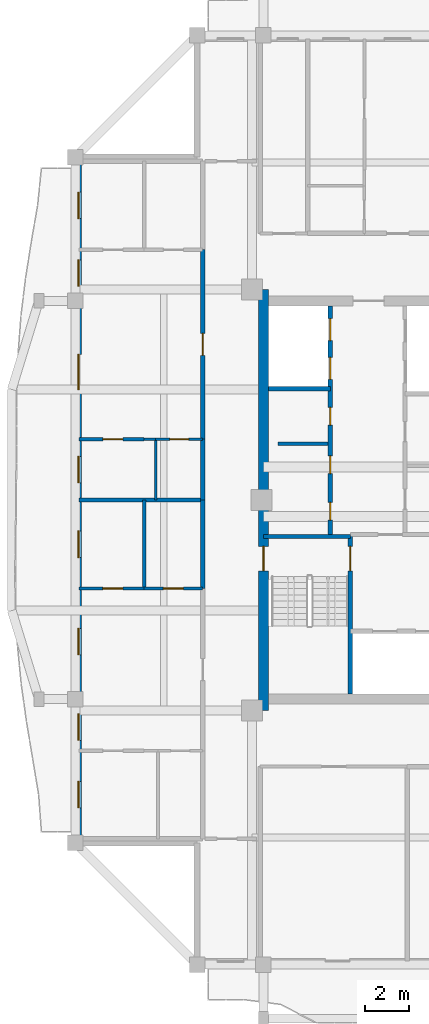
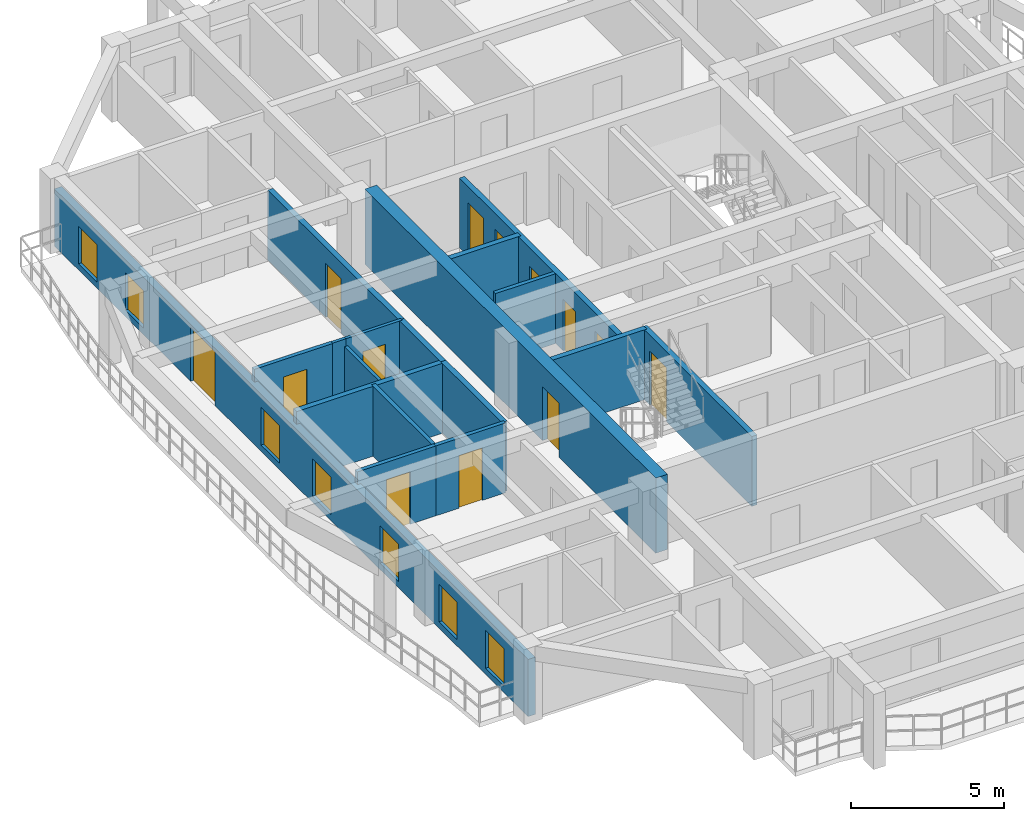
# One storey, part 3 of 12: 18 walls, 13 doors, 7 windows, 20 openings.
"""IFC4 building model written with IfcOpenShell, lengths in metres."""

from ifc_helpers import new_model, si_unit, direction, frame, frame_2d, origin, place, context, subcontext, project, spatial, rectangle, extrude, source, transform, mapped, material, layer, layer_set, type_object, element, fill, save


model = new_model("IFC4")

# Units and contexts
model_context = context("Model", 3, precision=1e-05, world=origin(), true_north=direction((0.0, 1.0)))
body_context = subcontext(model_context, "Body", "Model", "MODEL_VIEW")
ifc_project = project(units=[si_unit("LENGTHUNIT", "METRE"), si_unit("AREAUNIT", "SQUARE_METRE"), si_unit("VOLUMEUNIT", "CUBIC_METRE"), si_unit("PLANEANGLEUNIT", "RADIAN"), si_unit("MASSUNIT", "GRAM", prefix="KILO")], contexts=[model_context])

# Site, building, storey
site_placement = place(None, origin())
site = spatial("IfcSite", under=ifc_project, at=site_placement, CompositionType="ELEMENT")
building_placement = place(site_placement, origin())
building = spatial("IfcBuilding", under=site, at=building_placement, Name="Saelheon Loggia Tower", CompositionType="ELEMENT")
storey_placement = place(building_placement, frame((0.0, 0.0, 240.0)))
storey = spatial("IfcBuildingStorey", under=building, at=storey_placement, Name="L74", CompositionType="ELEMENT", Elevation=240.0)

# Wall, opening, door
ifc_material_1 = material(Name="Concrete C45/55", Category="concrete")
ifc_layer_1 = layer(ifc_material_1, 0.449951171875)
ifc_layer_set_1 = layer_set([ifc_layer_1], Name="Concrete C45/55")
wall_type_1 = type_object("IfcWallType", Name="Wall_CoreShear_450", PredefinedType="SHEAR", material=ifc_layer_set_1)
wall_1_placement = place(storey_placement, frame((31.5, 17.47998046875, 0.0), z_axis=(0.0, 0.0, 1.0), x_axis=(0.0, 1.0, 0.0)))
wall_1 = element("IfcWall", 1, at=wall_1_placement, inside=storey, type_object=wall_type_1, Name="L74 Core Shear Wall West", PredefinedType="SHEAR", context=body_context, shape_type="SweptSolid", body=[
    extrude(rectangle(XDim=19.0400390625, YDim=0.449951171875, at=frame_2d((9.52001953125, 0.0))), origin(), (0.0, 0.0, 1.0), 3.0),
])
opening_1_placement = place(wall_1_placement, frame((6.320068359375, 0.0, 0.0)))
opening_1 = element("IfcOpeningElement", 2, at=opening_1_placement, cuts=wall_1, Name="Opening D-FD2", PredefinedType="OPENING", context=body_context, shape_type="SweptSolid", body=[
    extrude(rectangle(XDim=1.10009765625, YDim=2.14990234375, at=frame_2d((0.550048828125, 1.074951171875))), frame((0.0, 0.237060546875, 0.0), z_axis=(0.0, -1.0, 0.0), x_axis=(1.0, 0.0, 0.0)), (0.0, 0.0, 1.0), 0.473876953125),
])
ifc_material_2 = material(Name="Galvanised Steel Fire Door", Category="steel")
door_type_1 = type_object("IfcDoorType", Name="Door_Fire_FD60_1100", OperationType="NOTDEFINED", PredefinedType="DOOR", material=ifc_material_2)
shared_shape_1 = source(origin(), body_context, "Body", "SweptSolid", [
    extrude(rectangle(XDim=1.10009765625, YDim=2.14990234375, at=frame_2d((0.550048828125, 1.074951171875))), frame((0.0, 0.02490234375, 0.0), z_axis=(0.0, -1.0, 0.0), x_axis=(1.0, 0.0, 0.0)), (0.0, 0.0, 1.0), 0.050048828125),
])
door_1_placement = place(opening_1_placement, origin())
door_1 = element("IfcDoor", 3, at=door_1_placement, inside=storey, type_object=door_type_1, Name="L74 Stair ST1 Corridor Door", OperationType="SINGLE_SWING_LEFT", OverallHeight=2.14990234375, OverallWidth=1.10009765625, PredefinedType="DOOR", context=body_context, shape_type="MappedRepresentation", body=[
    mapped(shared_shape_1, transform((0.0, 0.0, 0.0), scale=1.0)),
])
fill(opening_1, door_1)

# Wall, openings, windows, door
ifc_material_3 = material(Name="Architectural Precast Concrete C40/50", Category="concrete")
ifc_layer_2 = layer(ifc_material_3, 0.280029296875)
ifc_layer_set_2 = layer_set([ifc_layer_2], Name="Architectural Precast Concrete C40/50")
wall_type_2 = type_object("IfcWallType", Name="Wall_Ext_Loggia_280", PredefinedType="SOLIDWALL", material=ifc_layer_set_2)
wall_2_placement = place(storey_placement, frame((23.139892578125, 11.5, 0.0), z_axis=(0.0, 0.0, 1.0), x_axis=(0.0, 1.0, 0.0)))
wall_2 = element("IfcWall", 4, at=wall_2_placement, inside=storey, type_object=wall_type_2, Name="L74 West Loggia Inner Wall", PredefinedType="SOLIDWALL", context=body_context, shape_type="SweptSolid", body=[
    extrude(rectangle(XDim=31.0, YDim=0.280029296875, at=frame_2d((15.5, 0.0))), origin(), (0.0, 0.0, 1.0), 2.280029296875),
])
opening_2_placement = place(wall_2_placement, frame((1.57666015625, 0.0, 0.25)))
opening_2 = element("IfcOpeningElement", 5, at=opening_2_placement, cuts=wall_2, Name="Opening WN-03", PredefinedType="OPENING", context=body_context, shape_type="SweptSolid", body=[
    extrude(rectangle(XDim=1.199951171875, YDim=1.5, at=frame_2d((0.60009765625, 0.75))), frame((0.0, 0.152099609375, 0.0), z_axis=(0.0, -1.0, 0.0), x_axis=(1.0, 0.0, 0.0)), (0.0, 0.0, 1.0), 0.303955078125),
])
opening_3_placement = place(wall_2_placement, frame((4.63671875, 0.0, 0.25)))
opening_3 = element("IfcOpeningElement", 6, at=opening_3_placement, cuts=wall_2, Name="Opening WN-03", PredefinedType="OPENING", context=body_context, shape_type="SweptSolid", body=[
    extrude(rectangle(XDim=1.199951171875, YDim=1.5, at=frame_2d((0.60009765625, 0.75))), frame((0.0, 0.152099609375, 0.0), z_axis=(0.0, -1.0, 0.0), x_axis=(1.0, 0.0, 0.0)), (0.0, 0.0, 1.0), 0.303955078125),
])
opening_4_placement = place(wall_2_placement, frame((8.4951171875, 0.0, 0.25)))
opening_4 = element("IfcOpeningElement", 7, at=opening_4_placement, cuts=wall_2, Name="Opening WN-03", PredefinedType="OPENING", context=body_context, shape_type="SweptSolid", body=[
    extrude(rectangle(XDim=1.199951171875, YDim=1.5, at=frame_2d((0.60009765625, 0.75))), frame((0.0, 0.152099609375, 0.0), z_axis=(0.0, -1.0, 0.0), x_axis=(1.0, 0.0, 0.0)), (0.0, 0.0, 1.0), 0.303955078125),
])
opening_5_placement = place(wall_2_placement, frame((12.89990234375, 0.0, 0.25)))
opening_5 = element("IfcOpeningElement", 8, at=opening_5_placement, cuts=wall_2, Name="Opening WN-03", PredefinedType="OPENING", context=body_context, shape_type="SweptSolid", body=[
    extrude(rectangle(XDim=1.199951171875, YDim=1.5, at=frame_2d((0.60009765625, 0.75))), frame((0.0, 0.152099609375, 0.0), z_axis=(0.0, -1.0, 0.0), x_axis=(1.0, 0.0, 0.0)), (0.0, 0.0, 1.0), 0.303955078125),
])
opening_6_placement = place(wall_2_placement, frame((16.27490234375, 0.0, 0.25)))
opening_6 = element("IfcOpeningElement", 9, at=opening_6_placement, cuts=wall_2, Name="Opening WN-03", PredefinedType="OPENING", context=body_context, shape_type="SweptSolid", body=[
    extrude(rectangle(XDim=1.199951171875, YDim=1.5, at=frame_2d((0.60009765625, 0.75))), frame((0.0, 0.152099609375, 0.0), z_axis=(0.0, -1.0, 0.0), x_axis=(1.0, 0.0, 0.0)), (0.0, 0.0, 1.0), 0.303955078125),
])
opening_7_placement = place(wall_2_placement, frame((20.47998046875, 0.0, 0.0)))
opening_7 = element("IfcOpeningElement", 10, at=opening_7_placement, cuts=wall_2, Name="Opening DLG-1", PredefinedType="OPENING", context=body_context, shape_type="SweptSolid", body=[
    extrude(rectangle(XDim=1.60009765625, YDim=2.14990234375, at=frame_2d((0.800048828125, 1.074951171875))), frame((0.0, 0.152099609375, 0.0), z_axis=(0.0, -1.0, 0.0), x_axis=(1.0, 0.0, 0.0)), (0.0, 0.0, 1.0), 0.303955078125),
])
opening_8_placement = place(wall_2_placement, frame((25.155029296875, 0.0, 0.25)))
opening_8 = element("IfcOpeningElement", 11, at=opening_8_placement, cuts=wall_2, Name="Opening WN-03", PredefinedType="OPENING", context=body_context, shape_type="SweptSolid", body=[
    extrude(rectangle(XDim=1.199951171875, YDim=1.5, at=frame_2d((0.60009765625, 0.75))), frame((0.0, 0.152099609375, 0.0), z_axis=(0.0, -1.0, 0.0), x_axis=(1.0, 0.0, 0.0)), (0.0, 0.0, 1.0), 0.303955078125),
])
opening_9_placement = place(wall_2_placement, frame((28.215087890625, 0.0, 0.25)))
opening_9 = element("IfcOpeningElement", 12, at=opening_9_placement, cuts=wall_2, Name="Opening WN-03", PredefinedType="OPENING", context=body_context, shape_type="SweptSolid", body=[
    extrude(rectangle(XDim=1.199951171875, YDim=1.5, at=frame_2d((0.60009765625, 0.75))), frame((0.0, 0.152099609375, 0.0), z_axis=(0.0, -1.0, 0.0), x_axis=(1.0, 0.0, 0.0)), (0.0, 0.0, 1.0), 0.303955078125),
])
ifc_material_4 = material(Name="Thermal-Break Aluminium and Triple Low-E Glass", Category="aluminium")
window_type = type_object("IfcWindowType", Name="Win_Bedroom_1200x1500", PartitioningType="SINGLE_PANEL", PredefinedType="WINDOW", material=ifc_material_4)
shared_shape_2 = source(origin(), body_context, "Body", "SweptSolid", [
    extrude(rectangle(XDim=1.199951171875, YDim=1.5, at=frame_2d((0.60009765625, 0.75))), frame((0.0, 0.030029296875, 0.0), z_axis=(0.0, -1.0, 0.0), x_axis=(1.0, 0.0, 0.0)), (0.0, 0.0, 1.0), 0.06005859375),
])
window_1_placement = place(opening_2_placement, origin())
window_1 = element("IfcWindow", 13, at=window_1_placement, inside=storey, type_object=window_type, Name="L74 W Dwelling Window 1", OverallHeight=1.5, OverallWidth=1.199951171875, PartitioningType="SINGLE_PANEL", PredefinedType="WINDOW", context=body_context, shape_type="MappedRepresentation", body=[
    mapped(shared_shape_2, transform((0.0, 0.0, 0.0), scale=1.0)),
])
fill(opening_2, window_1)
window_2_placement = place(opening_3_placement, origin())
window_2 = element("IfcWindow", 14, at=window_2_placement, inside=storey, type_object=window_type, Name="L74 W Dwelling Window 2", OverallHeight=1.5, OverallWidth=1.199951171875, PartitioningType="SINGLE_PANEL", PredefinedType="WINDOW", context=body_context, shape_type="MappedRepresentation", body=[
    mapped(shared_shape_2, transform((0.0, 0.0, 0.0), scale=1.0)),
])
fill(opening_3, window_2)
window_3_placement = place(opening_4_placement, origin())
window_3 = element("IfcWindow", 15, at=window_3_placement, inside=storey, type_object=window_type, Name="L74 W Dwelling Window 3", OverallHeight=1.5, OverallWidth=1.199951171875, PartitioningType="SINGLE_PANEL", PredefinedType="WINDOW", context=body_context, shape_type="MappedRepresentation", body=[
    mapped(shared_shape_2, transform((0.0, 0.0, 0.0), scale=1.0)),
])
fill(opening_4, window_3)
window_4_placement = place(opening_5_placement, origin())
window_4 = element("IfcWindow", 16, at=window_4_placement, inside=storey, type_object=window_type, Name="L74 W Dwelling Window 4", OverallHeight=1.5, OverallWidth=1.199951171875, PartitioningType="SINGLE_PANEL", PredefinedType="WINDOW", context=body_context, shape_type="MappedRepresentation", body=[
    mapped(shared_shape_2, transform((0.0, 0.0, 0.0), scale=1.0)),
])
fill(opening_5, window_4)
window_5_placement = place(opening_6_placement, origin())
window_5 = element("IfcWindow", 17, at=window_5_placement, inside=storey, type_object=window_type, Name="L74 W Dwelling Window 5", OverallHeight=1.5, OverallWidth=1.199951171875, PartitioningType="SINGLE_PANEL", PredefinedType="WINDOW", context=body_context, shape_type="MappedRepresentation", body=[
    mapped(shared_shape_2, transform((0.0, 0.0, 0.0), scale=1.0)),
])
fill(opening_6, window_5)
window_6_placement = place(opening_8_placement, origin())
window_6 = element("IfcWindow", 18, at=window_6_placement, inside=storey, type_object=window_type, Name="L74 W Dwelling Window 7", OverallHeight=1.5, OverallWidth=1.199951171875, PartitioningType="SINGLE_PANEL", PredefinedType="WINDOW", context=body_context, shape_type="MappedRepresentation", body=[
    mapped(shared_shape_2, transform((0.0, 0.0, 0.0), scale=1.0)),
])
fill(opening_8, window_6)
window_7_placement = place(opening_9_placement, origin())
window_7 = element("IfcWindow", 19, at=window_7_placement, inside=storey, type_object=window_type, Name="L74 W Dwelling Window 8", OverallHeight=1.5, OverallWidth=1.199951171875, PartitioningType="SINGLE_PANEL", PredefinedType="WINDOW", context=body_context, shape_type="MappedRepresentation", body=[
    mapped(shared_shape_2, transform((0.0, 0.0, 0.0), scale=1.0)),
])
fill(opening_9, window_7)
ifc_material_5 = material(Name="Thermal-Break Aluminium Sliding Glazed Door", Category="aluminium")
door_type_2 = type_object("IfcDoorType", Name="Door_LoggiaSlide_1600", OperationType="SLIDING_TO_LEFT", PredefinedType="DOOR", material=ifc_material_5)
shared_shape_3 = source(origin(), body_context, "Body", "SweptSolid", [
    extrude(rectangle(XDim=1.60009765625, YDim=2.14990234375, at=frame_2d((0.800048828125, 1.074951171875))), frame((0.0, 0.02490234375, 0.0), z_axis=(0.0, -1.0, 0.0), x_axis=(1.0, 0.0, 0.0)), (0.0, 0.0, 1.0), 0.050048828125),
])
door_2_placement = place(opening_7_placement, origin())
door_2 = element("IfcDoor", 20, at=door_2_placement, inside=storey, type_object=door_type_2, Name="L74 W Loggia Access Door", OperationType="SLIDING_TO_LEFT", OverallHeight=2.14990234375, OverallWidth=1.60009765625, PredefinedType="DOOR", context=body_context, shape_type="MappedRepresentation", body=[
    mapped(shared_shape_3, transform((0.0, 0.0, 0.0), scale=1.0)),
])
fill(opening_7, door_2)

# Walls
ifc_material_6 = material(Name="Lightweight Autoclaved Aerated Concrete Block and Acoustic Gypsum", Category="concrete")
ifc_layer_3 = layer(ifc_material_6, 0.14990234375)
ifc_layer_set_3 = layer_set([ifc_layer_3], Name="Lightweight Autoclaved Aerated Concrete Block and Acoustic Gypsum")
wall_type_3 = type_object("IfcWallType", Name="Wall_Part_150", PredefinedType="PARTITIONING", material=ifc_layer_set_3)
wall_3_placement = place(storey_placement, frame((32.14990234375, 29.550048828125, 0.0), z_axis=(0.0, 0.0, 1.0), x_axis=(1.0, 0.0, 0.0)))
element("IfcWall", 21, at=wall_3_placement, inside=storey, type_object=wall_type_3, Name="L74 Freed Core Partition PL1", PredefinedType="PARTITIONING", context=body_context, shape_type="SweptSolid", body=[
    extrude(rectangle(XDim=2.27001953125, YDim=0.14990234375, at=frame_2d((1.135009765625, 0.0))), origin(), (0.0, 0.0, 1.0), 2.7900390625),
])
wall_4_placement = place(storey_placement, frame((26.110107421875, 23.0, 0.0), z_axis=(0.0, 0.0, 1.0), x_axis=(0.0, 1.0, 0.0)))
element("IfcWall", 22, at=wall_4_placement, inside=storey, type_object=wall_type_3, Name="L74 W Partition V07", PredefinedType="PARTITIONING", context=body_context, shape_type="SweptSolid", body=[
    extrude(rectangle(XDim=4.0, YDim=0.14990234375, at=frame_2d((2.0, 0.0))), origin(), (0.0, 0.0, 1.0), 2.7900390625),
])

# Wall, opening, door
wall_5_placement = place(storey_placement, frame((28.75, 23.0, 0.0), z_axis=(0.0, 0.0, 1.0), x_axis=(-1.0, 0.0, 0.0)))
wall_5 = element("IfcWall", 23, at=wall_5_placement, inside=storey, type_object=wall_type_3, Name="L74 W Partition U11", PredefinedType="PARTITIONING", context=body_context, shape_type="SweptSolid", body=[
    extrude(rectangle(XDim=2.639892578125, YDim=0.14990234375, at=frame_2d((1.31982421875, 0.0))), origin(), (0.0, 0.0, 1.0), 2.7900390625),
])
opening_10_placement = place(wall_5_placement, frame((0.8701171875, 0.0, 0.0)))
opening_10 = element("IfcOpeningElement", 24, at=opening_10_placement, cuts=wall_5, Name="Opening D-IN2", PredefinedType="OPENING", context=body_context, shape_type="SweptSolid", body=[
    extrude(rectangle(XDim=0.89990234375, YDim=2.10009765625, at=frame_2d((0.449951171875, 1.050048828125))), frame((0.0, 0.0869140625, 0.0), z_axis=(0.0, -1.0, 0.0), x_axis=(1.0, 0.0, 0.0)), (0.0, 0.0, 1.0), 0.173828125),
])
ifc_material_7 = material(Name="Engineered Oak Flush Door", Category="timber")
door_type_3 = type_object("IfcDoorType", Name="Door_Int_900", OperationType="NOTDEFINED", PredefinedType="DOOR", material=ifc_material_7)
shared_shape_4 = source(origin(), body_context, "Body", "SweptSolid", [
    extrude(rectangle(XDim=0.89990234375, YDim=2.10009765625, at=frame_2d((0.449951171875, 1.050048828125))), frame((0.0, 0.02490234375, 0.0), z_axis=(0.0, -1.0, 0.0), x_axis=(1.0, 0.0, 0.0)), (0.0, 0.0, 1.0), 0.050048828125),
])
door_3_placement = place(opening_10_placement, origin())
door_3 = element("IfcDoor", 25, at=door_3_placement, inside=storey, type_object=door_type_3, Name="Unit U03 Kitchen Door", OperationType="SINGLE_SWING_LEFT", OverallHeight=2.10009765625, OverallWidth=0.89990234375, PredefinedType="DOOR", context=body_context, shape_type="MappedRepresentation", body=[
    mapped(shared_shape_4, transform((0.0, 0.0, 0.0), scale=1.0)),
])
fill(opening_10, door_3)

wall_6_placement = place(storey_placement, frame((26.110107421875, 23.0, 0.0), z_axis=(0.0, 0.0, 1.0), x_axis=(-1.0, 0.0, 0.0)))
wall_6 = element("IfcWall", 26, at=wall_6_placement, inside=storey, type_object=wall_type_3, Name="L74 W Partition U12", PredefinedType="PARTITIONING", context=body_context, shape_type="SweptSolid", body=[
    extrude(rectangle(XDim=2.960205078125, YDim=0.14990234375, at=frame_2d((1.47998046875, 0.0))), origin(), (0.0, 0.0, 1.0), 2.7900390625),
])
opening_11_placement = place(wall_6_placement, frame((0.964111328125, 0.0, 0.0)))
opening_11 = element("IfcOpeningElement", 27, at=opening_11_placement, cuts=wall_6, Name="Opening D-IN2", PredefinedType="OPENING", context=body_context, shape_type="SweptSolid", body=[
    extrude(rectangle(XDim=0.89990234375, YDim=2.10009765625, at=frame_2d((0.449951171875, 1.050048828125))), frame((0.0, 0.0869140625, 0.0), z_axis=(0.0, -1.0, 0.0), x_axis=(1.0, 0.0, 0.0)), (0.0, 0.0, 1.0), 0.173828125),
])
door_4_placement = place(opening_11_placement, origin())
door_4 = element("IfcDoor", 28, at=door_4_placement, inside=storey, type_object=door_type_3, Name="Unit U03 Bedroom 1 Door", OperationType="SINGLE_SWING_RIGHT", OverallHeight=2.10009765625, OverallWidth=0.89990234375, PredefinedType="DOOR", context=body_context, shape_type="MappedRepresentation", body=[
    mapped(shared_shape_4, transform((0.0, 0.0, 0.0), scale=1.0)),
])
fill(opening_11, door_4)

wall_7_placement = place(storey_placement, frame((26.110107421875, 29.75, 0.0), z_axis=(0.0, 0.0, 1.0), x_axis=(-1.0, 0.0, 0.0)))
wall_7 = element("IfcWall", 29, at=wall_7_placement, inside=storey, type_object=wall_type_3, Name="L74 W Partition U21", PredefinedType="PARTITIONING", context=body_context, shape_type="SweptSolid", body=[
    extrude(rectangle(XDim=2.960205078125, YDim=0.14990234375, at=frame_2d((1.47998046875, 0.0))), origin(), (0.0, 0.0, 1.0), 2.7900390625),
])
opening_12_placement = place(wall_7_placement, frame((0.964111328125, 0.0, 0.0)))
opening_12 = element("IfcOpeningElement", 30, at=opening_12_placement, cuts=wall_7, Name="Opening D-IN2", PredefinedType="OPENING", context=body_context, shape_type="SweptSolid", body=[
    extrude(rectangle(XDim=0.89990234375, YDim=2.10009765625, at=frame_2d((0.449951171875, 1.050048828125))), frame((0.0, 0.0869140625, 0.0), z_axis=(0.0, -1.0, 0.0), x_axis=(1.0, 0.0, 0.0)), (0.0, 0.0, 1.0), 0.173828125),
])
door_5_placement = place(opening_12_placement, origin())
door_5 = element("IfcDoor", 31, at=door_5_placement, inside=storey, type_object=door_type_3, Name="Unit U04 Kitchen Door", OperationType="SINGLE_SWING_LEFT", OverallHeight=2.10009765625, OverallWidth=0.89990234375, PredefinedType="DOOR", context=body_context, shape_type="MappedRepresentation", body=[
    mapped(shared_shape_4, transform((0.0, 0.0, 0.0), scale=1.0)),
])
fill(opening_12, door_5)

# Walls
ifc_material_8 = material(Name="Double Acoustic Stud and Fireboard Partition", Category="gypsum")
ifc_layer_4 = layer(ifc_material_8, 0.199951171875)
ifc_layer_set_4 = layer_set([ifc_layer_4], Name="Double Acoustic Stud and Fireboard Partition")
wall_type_4 = type_object("IfcWallType", Name="Wall_Party_200", PredefinedType="PARTITIONING", material=ifc_layer_set_4)
wall_8_placement = place(storey_placement, frame((28.75, 23.0, 0.0), z_axis=(0.0, 0.0, 1.0), x_axis=(0.0, 1.0, 0.0)))
element("IfcWall", 32, at=wall_8_placement, inside=storey, type_object=wall_type_4, Name="L74 W Partition V05", PredefinedType="PARTITIONING", context=body_context, shape_type="SweptSolid", body=[
    extrude(rectangle(XDim=4.0, YDim=0.199951171875, at=frame_2d((2.0, 0.0))), origin(), (0.0, 0.0, 1.0), 2.7900390625),
])
wall_9_placement = place(storey_placement, frame((28.75, 27.0, 0.0), z_axis=(0.0, 0.0, 1.0), x_axis=(-1.0, 0.0, 0.0)))
element("IfcWall", 33, at=wall_9_placement, inside=storey, type_object=wall_type_4, Name="L74 W Partition U13", PredefinedType="PARTITIONING", context=body_context, shape_type="SweptSolid", body=[
    extrude(rectangle(XDim=5.60009765625, YDim=0.199951171875, at=frame_2d((2.800048828125, 0.0))), origin(), (0.0, 0.0, 1.0), 2.7900390625),
])
wall_10_placement = place(storey_placement, frame((28.75, 27.0, 0.0), z_axis=(0.0, 0.0, 1.0), x_axis=(0.0, 1.0, 0.0)))
element("IfcWall", 34, at=wall_10_placement, inside=storey, type_object=wall_type_4, Name="L74 W Partition V14", PredefinedType="PARTITIONING", context=body_context, shape_type="SweptSolid", body=[
    extrude(rectangle(XDim=2.75, YDim=0.199951171875, at=frame_2d((1.375, 0.0))), origin(), (0.0, 0.0, 1.0), 2.7900390625),
])

# Wall, opening, door
wall_11_placement = place(storey_placement, frame((28.75, 29.75, 0.0), z_axis=(0.0, 0.0, 1.0), x_axis=(0.0, 1.0, 0.0)))
wall_11 = element("IfcWall", 35, at=wall_11_placement, inside=storey, type_object=wall_type_4, Name="L74 W Partition V15", PredefinedType="PARTITIONING", context=body_context, shape_type="SweptSolid", body=[
    extrude(rectangle(XDim=8.570068359375, YDim=0.199951171875, at=frame_2d((4.28515625, 0.0))), origin(), (0.0, 0.0, 1.0), 2.7900390625),
])
opening_13_placement = place(wall_11_placement, frame((3.784912109375, 0.0, 0.0)))
opening_13 = element("IfcOpeningElement", 36, at=opening_13_placement, cuts=wall_11, Name="Opening D-FD1", PredefinedType="OPENING", context=body_context, shape_type="SweptSolid", body=[
    extrude(rectangle(XDim=1.0, YDim=2.14990234375, at=frame_2d((0.5, 1.074951171875))), frame((0.0, 0.112060546875, 0.0), z_axis=(0.0, -1.0, 0.0), x_axis=(1.0, 0.0, 0.0)), (0.0, 0.0, 1.0), 0.223876953125),
])
ifc_material_9 = material(Name="Fire-Rated Engineered Timber Entrance Door", Category="wood")
door_type_4 = type_object("IfcDoorType", Name="Door_Flat_FD30S", OperationType="NOTDEFINED", PredefinedType="DOOR", material=ifc_material_9)
shared_shape_5 = source(origin(), body_context, "Body", "SweptSolid", [
    extrude(rectangle(XDim=1.0, YDim=2.14990234375, at=frame_2d((0.5, 1.074951171875))), frame((0.0, 0.02490234375, 0.0), z_axis=(0.0, -1.0, 0.0), x_axis=(1.0, 0.0, 0.0)), (0.0, 0.0, 1.0), 0.050048828125),
])
door_6_placement = place(opening_13_placement, origin())
door_6 = element("IfcDoor", 37, at=door_6_placement, inside=storey, type_object=door_type_4, Name="Unit U04 Entrance Door", OperationType="SINGLE_SWING_LEFT", OverallHeight=2.14990234375, OverallWidth=1.0, PredefinedType="DOOR", context=body_context, shape_type="MappedRepresentation", body=[
    mapped(shared_shape_5, transform((0.0, 0.0, 0.0), scale=1.0)),
])
fill(opening_13, door_6)

# Wall, openings, doors
ifc_material_10 = material(Name="Concrete C40/50", Category="concrete")
ifc_layer_5 = layer(ifc_material_10, 0.199951171875)
ifc_layer_set_5 = layer_set([ifc_layer_5], Name="Concrete C40/50")
wall_type_5 = type_object("IfcWallType", Name="Wall_Shaft_200", PredefinedType="PARTITIONING", material=ifc_layer_set_5)
wall_12_placement = place(storey_placement, frame((34.52001953125, 25.43994140625, 0.0), z_axis=(0.0, 0.0, 1.0), x_axis=(0.0, 1.0, 0.0)))
wall_12 = element("IfcWall", 38, at=wall_12_placement, inside=storey, type_object=wall_type_5, Name="L74 West Passenger Lift Bank Wall", PredefinedType="PARTITIONING", context=body_context, shape_type="SweptSolid", body=[
    extrude(rectangle(XDim=10.340087890625, YDim=0.199951171875, at=frame_2d((5.169921875, 0.0))), origin(), (0.0, 0.0, 1.0), 2.7900390625),
])
opening_14_placement = place(wall_12_placement, frame((0.64990234375, 0.0, 0.0)))
opening_14 = element("IfcOpeningElement", 39, at=opening_14_placement, cuts=wall_12, Name="Opening D-ST1", PredefinedType="OPENING", context=body_context, shape_type="SweptSolid", body=[
    extrude(rectangle(XDim=0.800048828125, YDim=2.050048828125, at=frame_2d((0.39990234375, 1.02490234375))), frame((0.0, 0.112060546875, 0.0), z_axis=(0.0, -1.0, 0.0), x_axis=(1.0, 0.0, 0.0)), (0.0, 0.0, 1.0), 0.223876953125),
])
opening_15_placement = place(wall_12_placement, frame((2.75, 0.0, 0.0)))
opening_15 = element("IfcOpeningElement", 40, at=opening_15_placement, cuts=wall_12, Name="Opening D-ST1", PredefinedType="OPENING", context=body_context, shape_type="SweptSolid", body=[
    extrude(rectangle(XDim=0.800048828125, YDim=2.050048828125, at=frame_2d((0.39990234375, 1.02490234375))), frame((0.0, 0.112060546875, 0.0), z_axis=(0.0, -1.0, 0.0), x_axis=(1.0, 0.0, 0.0)), (0.0, 0.0, 1.0), 0.223876953125),
])
opening_16_placement = place(wall_12_placement, frame((4.949951171875, 0.0, 0.0)))
opening_16 = element("IfcOpeningElement", 41, at=opening_16_placement, cuts=wall_12, Name="Opening D-ST1", PredefinedType="OPENING", context=body_context, shape_type="SweptSolid", body=[
    extrude(rectangle(XDim=0.800048828125, YDim=2.050048828125, at=frame_2d((0.39990234375, 1.02490234375))), frame((0.0, 0.112060546875, 0.0), z_axis=(0.0, -1.0, 0.0), x_axis=(1.0, 0.0, 0.0)), (0.0, 0.0, 1.0), 0.223876953125),
])
opening_17_placement = place(wall_12_placement, frame((7.010009765625, 0.0, 0.0)))
opening_17 = element("IfcOpeningElement", 42, at=opening_17_placement, cuts=wall_12, Name="Opening LD1", PredefinedType="OPENING", context=body_context, shape_type="SweptSolid", body=[
    extrude(rectangle(XDim=1.0, YDim=2.14990234375, at=frame_2d((0.5, 1.074951171875))), frame((0.0, 0.112060546875, 0.0), z_axis=(0.0, -1.0, 0.0), x_axis=(1.0, 0.0, 0.0)), (0.0, 0.0, 1.0), 0.223876953125),
])
opening_18_placement = place(wall_12_placement, frame((8.760009765625, 0.0, 0.0)))
opening_18 = element("IfcOpeningElement", 43, at=opening_18_placement, cuts=wall_12, Name="Opening LD1", PredefinedType="OPENING", context=body_context, shape_type="SweptSolid", body=[
    extrude(rectangle(XDim=1.0, YDim=2.14990234375, at=frame_2d((0.5, 1.074951171875))), frame((0.0, 0.112060546875, 0.0), z_axis=(0.0, -1.0, 0.0), x_axis=(1.0, 0.0, 0.0)), (0.0, 0.0, 1.0), 0.223876953125),
])
ifc_material_11 = material(Name="Brushed Stainless Steel 304 Landing Door", Category="steel")
door_type_5 = type_object("IfcDoorType", Name="Door_Lift_LD1", OperationType="DOUBLE_DOOR_SLIDING", PredefinedType="DOOR", material=ifc_material_11)
door_7_placement = place(opening_17_placement, origin())
door_7 = element("IfcDoor", 44, at=door_7_placement, inside=storey, type_object=door_type_5, Name="L74 PH1 Landing Door", OperationType="DOUBLE_DOOR_SLIDING", OverallHeight=2.14990234375, OverallWidth=1.0, PredefinedType="DOOR", context=body_context, shape_type="MappedRepresentation", body=[
    mapped(shared_shape_5, transform((0.0, 0.0, 0.0), scale=1.0)),
])
fill(opening_17, door_7)
door_8_placement = place(opening_18_placement, origin())
door_8 = element("IfcDoor", 45, at=door_8_placement, inside=storey, type_object=door_type_5, Name="L74 PH2 Landing Door", OperationType="DOUBLE_DOOR_SLIDING", OverallHeight=2.14990234375, OverallWidth=1.0, PredefinedType="DOOR", context=body_context, shape_type="MappedRepresentation", body=[
    mapped(shared_shape_5, transform((0.0, 0.0, 0.0), scale=1.0)),
])
fill(opening_18, door_8)
ifc_material_12 = material(Name="Powder-Coated Steel Store Door", Category="steel")
door_type_6 = type_object("IfcDoorType", Name="Door_Store_800", OperationType="NOTDEFINED", PredefinedType="DOOR", material=ifc_material_12)
shared_shape_6 = source(origin(), body_context, "Body", "SweptSolid", [
    extrude(rectangle(XDim=0.800048828125, YDim=2.050048828125, at=frame_2d((0.39990234375, 1.02490234375))), frame((0.0, 0.02490234375, 0.0), z_axis=(0.0, -1.0, 0.0), x_axis=(1.0, 0.0, 0.0)), (0.0, 0.0, 1.0), 0.050048828125),
])
door_9_placement = place(opening_14_placement, origin())
door_9 = element("IfcDoor", 46, at=door_9_placement, inside=storey, type_object=door_type_6, Name="L74 Telecom Store Door", OperationType="SINGLE_SWING_RIGHT", OverallHeight=2.050048828125, OverallWidth=0.800048828125, PredefinedType="DOOR", context=body_context, shape_type="MappedRepresentation", body=[
    mapped(shared_shape_6, transform((0.0, 0.0, 0.0), scale=1.0)),
])
fill(opening_14, door_9)
door_10_placement = place(opening_15_placement, origin())
door_10 = element("IfcDoor", 47, at=door_10_placement, inside=storey, type_object=door_type_6, Name="L74 Linen Closet Door", OperationType="SINGLE_SWING_LEFT", OverallHeight=2.050048828125, OverallWidth=0.800048828125, PredefinedType="DOOR", context=body_context, shape_type="MappedRepresentation", body=[
    mapped(shared_shape_6, transform((0.0, 0.0, 0.0), scale=1.0)),
])
fill(opening_15, door_10)
door_11_placement = place(opening_16_placement, origin())
door_11 = element("IfcDoor", 48, at=door_11_placement, inside=storey, type_object=door_type_6, Name="L74 Metering Store Door", OperationType="SINGLE_SWING_RIGHT", OverallHeight=2.050048828125, OverallWidth=0.800048828125, PredefinedType="DOOR", context=body_context, shape_type="MappedRepresentation", body=[
    mapped(shared_shape_6, transform((0.0, 0.0, 0.0), scale=1.0)),
])
fill(opening_16, door_11)

# Wall
wall_13_placement = place(storey_placement, frame((31.719970703125, 32.02001953125, 0.0), z_axis=(0.0, 0.0, 1.0), x_axis=(1.0, 0.0, 0.0)))
element("IfcWall", 49, at=wall_13_placement, inside=storey, type_object=wall_type_5, Name="L74 West High-Rise Shaft Divider", PredefinedType="PARTITIONING", context=body_context, shape_type="SweptSolid", body=[
    extrude(rectangle(XDim=2.800048828125, YDim=0.199951171875, at=frame_2d((1.39990234375, 0.0))), origin(), (0.0, 0.0, 1.0), 2.7900390625),
])

# Wall, opening, door
ifc_layer_6 = layer(ifc_material_1, 0.199951171875)
ifc_layer_set_6 = layer_set([ifc_layer_6], Name="Concrete C45/55")
wall_type_6 = type_object("IfcWallType", Name="Wall_StairShaft_RC200", PredefinedType="SOLIDWALL", material=ifc_layer_set_6)
wall_14_placement = place(storey_placement, frame((35.429931640625, 18.219970703125, 0.0), z_axis=(0.0, 0.0, 1.0), x_axis=(0.0, 1.0, 0.0)))
wall_14 = element("IfcWall", 50, at=wall_14_placement, inside=storey, type_object=wall_type_6, Name="L74 Stair ST1 Shaft Wall", PredefinedType="SOLIDWALL", context=body_context, shape_type="SweptSolid", body=[
    extrude(rectangle(XDim=7.219970703125, YDim=0.199951171875, at=frame_2d((3.60986328125, 0.0))), origin(), (0.0, 0.0, 1.0), 2.7900390625),
])
opening_19_placement = place(wall_14_placement, frame((6.68017578125, 0.0, 0.0), z_axis=(0.0, 0.0, 1.0), x_axis=(-1.0, 0.0, 0.0)))
opening_19 = element("IfcOpeningElement", 51, at=opening_19_placement, cuts=wall_14, Name="Opening D-FD2", PredefinedType="OPENING", context=body_context, shape_type="SweptSolid", body=[
    extrude(rectangle(XDim=1.10009765625, YDim=2.14990234375, at=frame_2d((0.550048828125, 1.074951171875))), frame((0.0, 0.112060546875, 0.0), z_axis=(0.0, -1.0, 0.0), x_axis=(1.0, 0.0, 0.0)), (0.0, 0.0, 1.0), 0.223876953125),
])
door_12_placement = place(opening_19_placement, origin())
door_12 = element("IfcDoor", 52, at=door_12_placement, inside=storey, type_object=door_type_1, Name="L74 Stair ST1 Lobby Door", OperationType="SINGLE_SWING_LEFT", OverallHeight=2.14990234375, OverallWidth=1.10009765625, PredefinedType="DOOR", context=body_context, shape_type="MappedRepresentation", body=[
    mapped(shared_shape_1, transform((0.0, 0.0, 0.0), scale=1.0)),
])
fill(opening_19, door_12)

# Walls
wall_15_placement = place(storey_placement, frame((31.5, 25.35009765625, 0.0), z_axis=(0.0, 0.0, 1.0), x_axis=(1.0, 0.0, 0.0)))
element("IfcWall", 53, at=wall_15_placement, inside=storey, type_object=wall_type_6, Name="L74 Stair ST1 North Wall", PredefinedType="SOLIDWALL", context=body_context, shape_type="SweptSolid", body=[
    extrude(rectangle(XDim=3.929931640625, YDim=0.199951171875, at=frame_2d((1.96484375, 0.0))), origin(), (0.0, 0.0, 1.0), 2.7900390625),
])
ifc_material_13 = material(Name="Moisture-Resistant Cement Board Partition", Category="gypsum")
ifc_layer_7 = layer(ifc_material_13, 0.1201171875)
ifc_layer_set_7 = layer_set([ifc_layer_7], Name="Moisture-Resistant Cement Board Partition")
wall_type_7 = type_object("IfcWallType", Name="Wall_WetPart_120", PredefinedType="PARTITIONING", material=ifc_layer_set_7)
wall_16_placement = place(storey_placement, frame((26.6298828125, 27.0, 0.0), z_axis=(0.0, 0.0, 1.0), x_axis=(0.0, 1.0, 0.0)))
element("IfcWall", 54, at=wall_16_placement, inside=storey, type_object=wall_type_7, Name="L74 W Partition V17", PredefinedType="PARTITIONING", context=body_context, shape_type="SweptSolid", body=[
    extrude(rectangle(XDim=2.75, YDim=0.1201171875, at=frame_2d((1.375, 0.0))), origin(), (0.0, 0.0, 1.0), 2.489990234375),
])

# Wall, opening, door
wall_17_placement = place(storey_placement, frame((28.75, 29.75, 0.0), z_axis=(0.0, 0.0, 1.0), x_axis=(-1.0, 0.0, 0.0)))
wall_17 = element("IfcWall", 55, at=wall_17_placement, inside=storey, type_object=wall_type_7, Name="L74 W Partition U19", PredefinedType="PARTITIONING", context=body_context, shape_type="SweptSolid", body=[
    extrude(rectangle(XDim=2.1201171875, YDim=0.1201171875, at=frame_2d((1.06005859375, 0.0))), origin(), (0.0, 0.0, 1.0), 2.7900390625),
])
opening_20_placement = place(wall_17_placement, frame((0.635009765625, 0.0, 0.0)))
opening_20 = element("IfcOpeningElement", 56, at=opening_20_placement, cuts=wall_17, Name="Opening D-BT1", PredefinedType="OPENING", context=body_context, shape_type="SweptSolid", body=[
    extrude(rectangle(XDim=0.85009765625, YDim=2.050048828125, at=frame_2d((0.425048828125, 1.02490234375))), frame((0.0, 0.072021484375, 0.0), z_axis=(0.0, -1.0, 0.0), x_axis=(1.0, 0.0, 0.0)), (0.0, 0.0, 1.0), 0.14404296875),
])
ifc_material_14 = material(Name="Moisture-Resistant Laminate Timber Door", Category="wood")
door_type_7 = type_object("IfcDoorType", Name="Door_Bath_850", OperationType="NOTDEFINED", PredefinedType="DOOR", material=ifc_material_14)
shared_shape_7 = source(origin(), body_context, "Body", "SweptSolid", [
    extrude(rectangle(XDim=0.85009765625, YDim=2.050048828125, at=frame_2d((0.425048828125, 1.02490234375))), frame((0.0, 0.02490234375, 0.0), z_axis=(0.0, -1.0, 0.0), x_axis=(1.0, 0.0, 0.0)), (0.0, 0.0, 1.0), 0.050048828125),
])
door_13_placement = place(opening_20_placement, origin())
door_13 = element("IfcDoor", 57, at=door_13_placement, inside=storey, type_object=door_type_7, Name="Unit U04 Bathroom Door", OperationType="SINGLE_SWING_RIGHT", OverallHeight=2.050048828125, OverallWidth=0.85009765625, PredefinedType="DOOR", context=body_context, shape_type="MappedRepresentation", body=[
    mapped(shared_shape_7, transform((0.0, 0.0, 0.0), scale=1.0)),
])
fill(opening_20, door_13)

# Wall
wall_18_placement = place(storey_placement, frame((26.6298828125, 29.75, 0.0), z_axis=(0.0, 0.0, 1.0), x_axis=(-1.0, 0.0, 0.0)))
element("IfcWall", 58, at=wall_18_placement, inside=storey, type_object=wall_type_7, Name="L74 W Partition U20", PredefinedType="PARTITIONING", context=body_context, shape_type="SweptSolid", body=[
    extrude(rectangle(XDim=0.519775390625, YDim=0.1201171875, at=frame_2d((0.259765625, 0.0))), origin(), (0.0, 0.0, 1.0), 2.7900390625),
])

save(model, "model.ifc")
